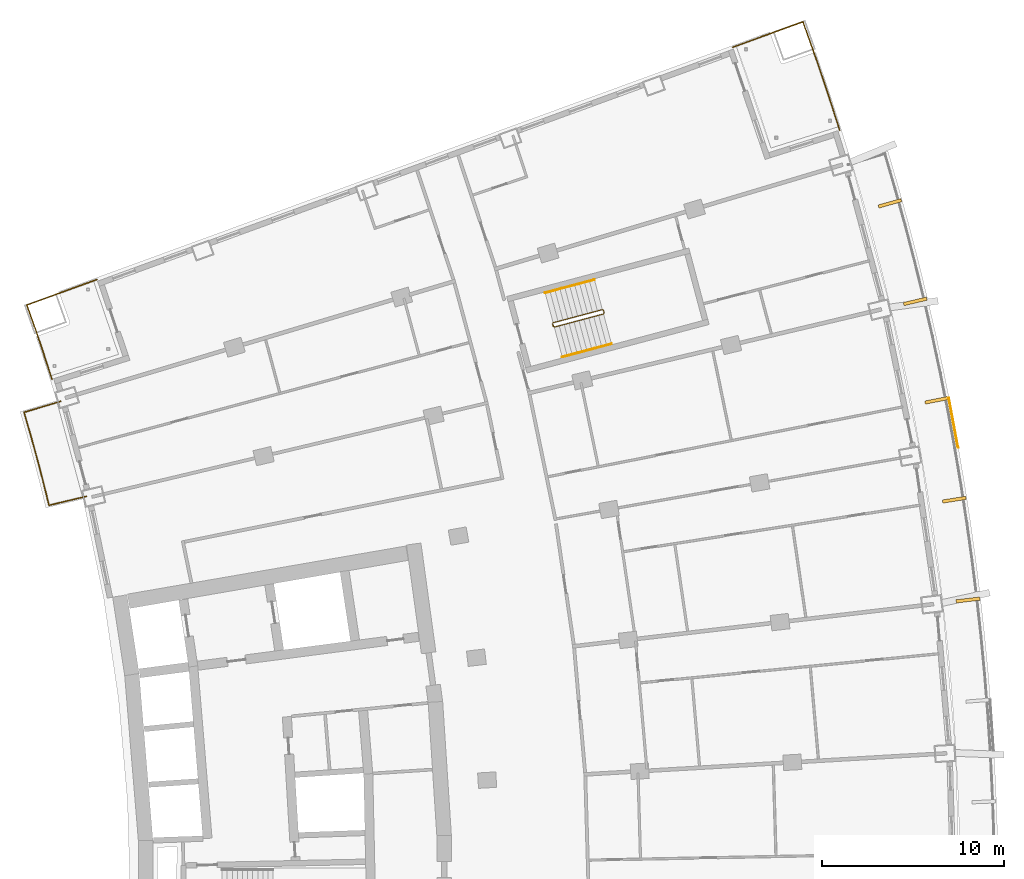
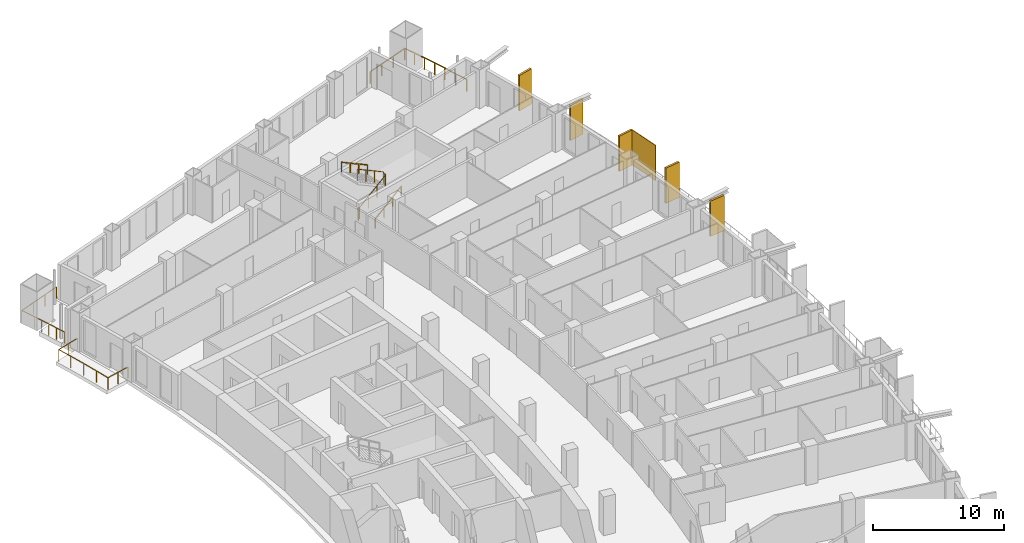
# One storey, part 25 of 25: 6 railings, 6 shading devices.
"""IFC4 building model written with IfcOpenShell, lengths in metres."""

import ifcopenshell
import ifcopenshell.guid

model = None  # the IFC model being written
_history = None  # IfcOwnerHistory: only IFC2X3 demands one
_inside = {}  # id of a spatial element -> (the spatial element, [elements in it])
_under = {}  # id of a project, library or spatial element -> (it, [spatial elements below it])
_declared = {}  # id of a project -> (the project, [libraries it declares])
_typed = {}  # id of a type object -> (the type object, [elements of that type])
_made_of = {}  # id of a material, layer set ... -> (it, [elements and type objects made of it])


def new_model(schema):
    """Start an empty IFC model of exactly this schema.

    Asked for "IFC4X3", IfcOpenShell would pick the latest addendum, in which some entities
    have other attributes; the version numbers below select the first issue.
    IFC2X3 requires an IfcOwnerHistory on every rooted entity: one is made here for all.
    """
    global model, _history
    if schema == "IFC4X3":
        model = ifcopenshell.file(schema_version=(4, 3, 0, 0))
    else:
        model = ifcopenshell.file(schema=schema)
    _inside.clear()
    _under.clear()
    _declared.clear()
    _typed.clear()
    _made_of.clear()
    _history = None
    if model.schema == "IFC2X3":
        org = make("IfcOrganization", Name="unknown")
        user = make(
            "IfcPersonAndOrganization",
            ThePerson=make("IfcPerson", FamilyName="unknown"),
            TheOrganization=org,
        )
        app = make(
            "IfcApplication",
            ApplicationDeveloper=org,
            Version="unknown",
            ApplicationFullName="unknown",
            ApplicationIdentifier="unknown",
        )
        _history = make(
            "IfcOwnerHistory",
            OwningUser=user,
            OwningApplication=app,
            ChangeAction="ADDED",
            CreationDate=0,
        )
    return model


def make(cls, **values):
    """One entity of the class cls with the attributes given. An attribute that is None is left unset."""
    return model.create_entity(
        cls, **{name: value for name, value in values.items() if value is not None}
    )


def rooted(cls, **values):
    """An entity with a GlobalId (a new one), such as an element, a storey or a relation."""
    return make(cls, GlobalId=ifcopenshell.guid.new(), OwnerHistory=_history, **values)


def si_unit(unit_type, name, prefix=None):
    """IfcSIUnit, for example si_unit("LENGTHUNIT", "METRE", prefix="MILLI")."""
    return make("IfcSIUnit", UnitType=unit_type, Prefix=prefix, Name=name)


def assignment(units):
    """IfcUnitAssignment: the units of a project."""
    return None if units is None else make("IfcUnitAssignment", Units=units)


def point(xyz):
    """IfcCartesianPoint."""
    return None if xyz is None else make("IfcCartesianPoint", Coordinates=xyz)


def direction(xyz):
    """IfcDirection."""
    return None if xyz is None else make("IfcDirection", DirectionRatios=xyz)


def frame(location, z_axis=None, x_axis=None):
    """IfcAxis2Placement3D, a coordinate frame: its origin and axes. An axis left out is left unset."""
    return make(
        "IfcAxis2Placement3D",
        Location=point(location),
        Axis=direction(z_axis),
        RefDirection=direction(x_axis),
    )


def frame_2d(location, x_axis=None):
    """IfcAxis2Placement2D, a coordinate frame in the plane: its origin and x axis."""
    return make(
        "IfcAxis2Placement2D", Location=point(location), RefDirection=direction(x_axis)
    )


def origin():
    """The frame at (0, 0, 0) with its axes left unset."""
    return frame((0.0, 0.0, 0.0))


def origin_2d():
    """The frame at (0, 0) in the plane with its x axis left unset."""
    return frame_2d((0.0, 0.0))


def place(relative_to, where):
    """IfcLocalPlacement: puts the frame where relative to a parent placement (None: the world)."""
    return make(
        "IfcLocalPlacement", PlacementRelTo=relative_to, RelativePlacement=where
    )


def context(
    kind, dimensions, precision=None, world=None, true_north=None, identifier=None
):
    """IfcGeometricRepresentationContext, for example the 3D "Model" context."""
    return make(
        "IfcGeometricRepresentationContext",
        ContextIdentifier=identifier,
        ContextType=kind,
        CoordinateSpaceDimension=dimensions,
        Precision=precision,
        WorldCoordinateSystem=world,
        TrueNorth=true_north,
    )


def subcontext(parent, identifier, kind, view, scale=None):
    """IfcGeometricRepresentationSubContext, for example "Body" below "Model"."""
    return make(
        "IfcGeometricRepresentationSubContext",
        ContextIdentifier=identifier,
        ContextType=kind,
        ParentContext=parent,
        TargetScale=scale,
        TargetView=view,
    )


def project(units=None, contexts=None):
    """IfcProject with its units and contexts."""
    return rooted(
        "IfcProject",
        Name="project",
        RepresentationContexts=contexts,
        UnitsInContext=assignment(units),
    )


def spatial(cls, under=None, at=None, **own):
    """A site, building, storey or space (cls), placed at a placement, below another one or the project."""
    s = rooted(cls, ObjectPlacement=at, **own)
    if under is not None:
        _under.setdefault(under.id(), (under, []))[1].append(s)
    return s


def profile(cls, at=None, kind="AREA", **sizes):
    """A parametric profile (cls). Its sizes go by their IFC names, for example OverallWidth=200.0."""
    return make(cls, ProfileType=kind, Position=at, **sizes)


def rectangle(**sizes):
    """IfcRectangleProfileDef."""
    return profile("IfcRectangleProfileDef", **sizes)


def extrude(swept, where, along, depth):
    """IfcExtrudedAreaSolid: the profile swept, set in the frame where, extruded along a direction by depth."""
    return make(
        "IfcExtrudedAreaSolid",
        SweptArea=swept,
        Position=where,
        ExtrudedDirection=direction(along),
        Depth=depth,
    )


def shape(context_of_items, identifier, shape_type, items):
    """IfcShapeRepresentation: the items that make up one representation, for example the "Body"."""
    return make(
        "IfcShapeRepresentation",
        ContextOfItems=context_of_items,
        RepresentationIdentifier=identifier,
        RepresentationType=shape_type,
        Items=items,
    )


def material(Name=None, Category=None):
    """IfcMaterial."""
    return make("IfcMaterial", Name=Name, Category=Category)


def layer(
    of_material, thickness, ventilated=None, Name=None, Category=None, Priority=None
):
    """IfcMaterialLayer: one layer of a wall or slab, of a material (None: an air gap)."""
    return make(
        "IfcMaterialLayer",
        Material=of_material,
        LayerThickness=thickness,
        IsVentilated=ventilated,
        Name=Name,
        Category=Category,
        Priority=Priority,
    )


def layer_set(layers, Name=None):
    """IfcMaterialLayerSet."""
    return make("IfcMaterialLayerSet", MaterialLayers=layers, LayerSetName=Name)


def made_of(thing, what):
    """Note that an element or type object is made of a material, layer set ...; save() writes the relation."""
    if what is not None:
        _made_of.setdefault(what.id(), (what, []))[1].append(thing)
    return thing


def type_object(cls, material=None, **own):
    """A type object (cls), such as IfcWallType, which elements share."""
    return made_of(rooted(cls, **own), material)


def element(
    cls,
    number,
    at=None,
    inside=None,
    cuts=None,
    type_object=None,
    material=None,
    context=None,
    identifier="Body",
    shape_type=None,
    held_by="IfcProductDefinitionShape",
    body=None,
    shapes=None,
    **own,
):
    """One element of the class cls, such as IfcWall. Its Tag is "e" and its number.

    at: its placement. inside: the storey or other place that contains it. cuts: it is an
    opening in that element (IfcRelVoidsElement). A single representation is given by context,
    identifier, shape_type and body (its items); several are given by shapes. held_by: the class
    of the entity that holds the representations. save() writes the other relations.
    """
    e = rooted(cls, Tag="e%d" % number, ObjectPlacement=at, **own)
    if body is not None:
        shapes = [shape(context, identifier, shape_type, body)]
    if shapes is not None:
        e.Representation = make(held_by, Representations=shapes)
    if inside is not None:
        _inside.setdefault(inside.id(), (inside, []))[1].append(e)
    if cuts is not None:
        rooted(
            "IfcRelVoidsElement", RelatingBuildingElement=cuts, RelatedOpeningElement=e
        )
    if type_object is not None:
        _typed.setdefault(type_object.id(), (type_object, []))[1].append(e)
    return made_of(e, material)


def aggregate(whole, parts):
    """IfcRelAggregates: a whole, such as a stair, and the parts it consists of."""
    return rooted("IfcRelAggregates", RelatingObject=whole, RelatedObjects=parts)


def save(model, path):
    """Write the relations noted so far, then the file.

    IfcRelAggregates (storeys below a building ...), IfcRelContainedInSpatialStructure (elements
    in a storey), IfcRelDefinesByType, IfcRelAssociatesMaterial and IfcRelDeclares: one each for
    every whole, place, type object, material and project.
    """
    for whole, parts in _under.values():
        aggregate(whole, parts)
    for where, things in _inside.values():
        rooted(
            "IfcRelContainedInSpatialStructure",
            RelatedElements=things,
            RelatingStructure=where,
        )
    for kind, things in _typed.values():
        rooted("IfcRelDefinesByType", RelatedObjects=things, RelatingType=kind)
    for what, things in _made_of.values():
        rooted("IfcRelAssociatesMaterial", RelatedObjects=things, RelatingMaterial=what)
    for by, libraries in _declared.values():
        rooted("IfcRelDeclares", RelatingContext=by, RelatedDefinitions=libraries)
    model.write(path)


model = new_model("IFC4")

# Units and contexts
model_context = context("Model", 3, precision=1e-05, world=origin(), true_north=direction((0.0, 1.0)))
body_context = subcontext(model_context, "Body", "Model", "MODEL_VIEW")
ifc_project = project(units=[si_unit("LENGTHUNIT", "METRE"), si_unit("AREAUNIT", "SQUARE_METRE"), si_unit("VOLUMEUNIT", "CUBIC_METRE"), si_unit("PLANEANGLEUNIT", "RADIAN"), si_unit("MASSUNIT", "GRAM", prefix="KILO")], contexts=[model_context])

# Site, building, storey
site_placement = place(None, origin())
site = spatial("IfcSite", under=ifc_project, at=site_placement, CompositionType="ELEMENT")
building_placement = place(site_placement, origin())
building = spatial("IfcBuilding", under=site, at=building_placement, Name="Alderwake Tower", CompositionType="ELEMENT")
storey_placement = place(building_placement, frame((0.0, 0.0, 107.60009765625)))
storey = spatial("IfcBuildingStorey", under=building, at=storey_placement, Name="L26", CompositionType="ELEMENT", Elevation=107.60009765625)

# Railings
ifc_material_1 = material(Name="Stainless steel 316 rail and posts", Category="steel")
railing_type_1 = type_object("IfcRailingType", Name="Balcony guard 1100", PredefinedType="GUARDRAIL", material=ifc_material_1)
railing_1_placement = place(storey_placement, frame((13.5693359375, 83.343017578125, 0.0)))
element("IfcRailing", 1, at=railing_1_placement, inside=storey, type_object=railing_type_1, Name="Guard BR11", PredefinedType="GUARDRAIL", context=body_context, shape_type="SweptSolid", body=[
    extrude(rectangle(XDim=0.048095703125, YDim=0.048095703125, at=origin_2d()), frame((0.0, 0.0, 1.076171875), z_axis=(-0.972646310656, -0.232291098337, 0.0), x_axis=(0.232291098337, -0.972646310656, 0.0)), (0.0, 0.0, 1.0), 2.099853515625),
    extrude(rectangle(XDim=0.048095703125, YDim=0.048095703125, at=origin_2d()), frame((-2.04248046875, -0.48779296875, 1.076171875), z_axis=(-0.238877101641, 0.971049808358, 0.0), x_axis=(-0.971049808358, -0.238877101641, 0.0)), (0.0, 0.0, 1.0), 1.2724609375),
    extrude(rectangle(XDim=0.048095703125, YDim=0.048095703125, at=origin_2d()), frame((-2.346435546875, 0.747802734375, 1.076171875), z_axis=(-0.252487086228, 0.967600264204, 0.0), x_axis=(-0.967600264204, -0.252487086228, 0.0)), (0.0, 0.0, 1.0), 1.3720703125),
    extrude(rectangle(XDim=0.048095703125, YDim=0.048095703125, at=origin_2d()), frame((-2.69287109375, 2.075439453125, 1.076171875), z_axis=(-0.266487604617, 0.963838345671, 0.0), x_axis=(-0.963838345671, -0.266487604617, 0.0)), (0.0, 0.0, 1.0), 1.372314453125),
    extrude(rectangle(XDim=0.048095703125, YDim=0.048095703125, at=origin_2d()), frame((-3.05859375, 3.398193359375, 1.076171875), z_axis=(-0.279963157487, 0.960010744966, 0.0), x_axis=(-0.960010744966, -0.279963157487, 0.0)), (0.0, 0.0, 1.0), 1.272216796875),
    extrude(rectangle(XDim=0.048095703125, YDim=0.048095703125, at=origin_2d()), frame((-3.414794921875, 4.61962890625, 1.076171875), z_axis=(0.958091458885, 0.286462486918, 0.0), x_axis=(-0.286462486918, 0.958091458885, 0.0)), (0.0, 0.0, 1.0), 2.099853515625),
    extrude(rectangle(XDim=0.0419921875, YDim=0.0419921875, at=origin_2d()), frame((0.0, 0.0, 0.0), z_axis=(0.0, 0.0, 1.0), x_axis=(-0.972646310656, -0.232291098337, 0.0)), (0.0, 0.0, 1.0), 1.052001953125),
    extrude(rectangle(XDim=0.0419921875, YDim=0.0419921875, at=origin_2d()), frame((-1.021240234375, -0.243896484375, 0.0), z_axis=(0.0, 0.0, 1.0), x_axis=(-0.972646310656, -0.232291098337, 0.0)), (0.0, 0.0, 1.0), 1.052001953125),
    extrude(rectangle(XDim=0.0419921875, YDim=0.0419921875, at=origin_2d()), frame((-2.04248046875, -0.48779296875, 0.0), z_axis=(0.0, 0.0, 1.0), x_axis=(-0.238877101641, 0.971049808358, 0.0)), (0.0, 0.0, 1.0), 1.052001953125),
    extrude(rectangle(XDim=0.0419921875, YDim=0.0419921875, at=origin_2d()), frame((-2.346435546875, 0.747802734375, 0.0), z_axis=(0.0, 0.0, 1.0), x_axis=(-0.252487086228, 0.967600264204, 0.0)), (0.0, 0.0, 1.0), 1.052001953125),
    extrude(rectangle(XDim=0.0419921875, YDim=0.0419921875, at=origin_2d()), frame((-2.69287109375, 2.075439453125, 0.0), z_axis=(0.0, 0.0, 1.0), x_axis=(-0.266487604617, 0.963838345671, 0.0)), (0.0, 0.0, 1.0), 1.052001953125),
    extrude(rectangle(XDim=0.0419921875, YDim=0.0419921875, at=origin_2d()), frame((-3.05859375, 3.398193359375, 0.0), z_axis=(0.0, 0.0, 1.0), x_axis=(-0.279963157487, 0.960010744966, 0.0)), (0.0, 0.0, 1.0), 1.052001953125),
    extrude(rectangle(XDim=0.0419921875, YDim=0.0419921875, at=origin_2d()), frame((-3.414794921875, 4.61962890625, 0.0), z_axis=(0.0, 0.0, 1.0), x_axis=(0.958091458885, 0.286462486918, 0.0)), (0.0, 0.0, 1.0), 1.052001953125),
    extrude(rectangle(XDim=0.0419921875, YDim=0.0419921875, at=origin_2d()), frame((-2.40869140625, 4.92041015625, 0.0), z_axis=(0.0, 0.0, 1.0), x_axis=(0.958091458885, 0.286462486918, 0.0)), (0.0, 0.0, 1.0), 1.052001953125),
    extrude(rectangle(XDim=0.0419921875, YDim=0.0419921875, at=origin_2d()), frame((-1.40283203125, 5.22119140625, 0.0), z_axis=(0.0, 0.0, 1.0), x_axis=(0.958091458885, 0.286462486918, 0.0)), (0.0, 0.0, 1.0), 1.052001953125),
])
railing_2_placement = place(storey_placement, frame((54.976318359375, 103.469482421875, 0.0)))
element("IfcRailing", 2, at=railing_2_placement, inside=storey, type_object=railing_type_1, Name="Guard terrace FN", PredefinedType="GUARDRAIL", context=body_context, shape_type="SweptSolid", body=[
    extrude(rectangle(XDim=0.048095703125, YDim=0.048095703125, at=origin_2d()), frame((0.0, 0.0, 1.076171875), z_axis=(-0.307736999778, 0.951471459881, 0.0), x_axis=(-0.951471459881, -0.307736999778, 0.0)), (0.0, 0.0, 1.0), 2.263427734375),
    extrude(rectangle(XDim=0.048095703125, YDim=0.048095703125, at=origin_2d()), frame((-0.696533203125, 2.153564453125, 1.076171875), z_axis=(-0.322290868596, 0.946640690029, 0.0), x_axis=(-0.946640690029, -0.322290868596, 0.0)), (0.0, 0.0, 1.0), 2.0634765625),
    extrude(rectangle(XDim=0.048095703125, YDim=0.048095703125, at=origin_2d()), frame((-1.361572265625, 4.10693359375, 1.076171875), z_axis=(-0.335706204484, 0.941966742656, 0.0), x_axis=(-0.941966742656, -0.335706204484, 0.0)), (0.0, 0.0, 1.0), 1.963623046875),
    extrude(rectangle(XDim=0.048095703125, YDim=0.048095703125, at=origin_2d()), frame((-2.020751953125, 5.95654296875, 1.076171875), z_axis=(-0.939624669849, -0.342206779317, 0.0), x_axis=(0.342206779317, -0.939624669849, 0.0)), (0.0, 0.0, 1.0), 4.10009765625),
    extrude(rectangle(XDim=0.0419921875, YDim=0.0419921875, at=origin_2d()), frame((0.0, 0.0, 0.0), z_axis=(0.0, 0.0, 1.0), x_axis=(-0.307736999778, 0.951471459881, 0.0)), (0.0, 0.0, 1.0), 1.052001953125),
    extrude(rectangle(XDim=0.0419921875, YDim=0.0419921875, at=origin_2d()), frame((-0.34814453125, 1.07666015625, 0.0), z_axis=(0.0, 0.0, 1.0), x_axis=(-0.307736999778, 0.951471459881, 0.0)), (0.0, 0.0, 1.0), 1.052001953125),
    extrude(rectangle(XDim=0.0419921875, YDim=0.0419921875, at=origin_2d()), frame((-0.696533203125, 2.153564453125, 0.0), z_axis=(0.0, 0.0, 1.0), x_axis=(-0.322290868596, 0.946640690029, 0.0)), (0.0, 0.0, 1.0), 1.052001953125),
    extrude(rectangle(XDim=0.0419921875, YDim=0.0419921875, at=origin_2d()), frame((-1.029052734375, 3.13037109375, 0.0), z_axis=(0.0, 0.0, 1.0), x_axis=(-0.322290868596, 0.946640690029, 0.0)), (0.0, 0.0, 1.0), 1.052001953125),
    extrude(rectangle(XDim=0.0419921875, YDim=0.0419921875, at=origin_2d()), frame((-1.361572265625, 4.10693359375, 0.0), z_axis=(0.0, 0.0, 1.0), x_axis=(-0.335706204484, 0.941966742656, 0.0)), (0.0, 0.0, 1.0), 1.052001953125),
    extrude(rectangle(XDim=0.0419921875, YDim=0.0419921875, at=origin_2d()), frame((-1.691162109375, 5.03173828125, 0.0), z_axis=(0.0, 0.0, 1.0), x_axis=(-0.335706204484, 0.941966742656, 0.0)), (0.0, 0.0, 1.0), 1.052001953125),
    extrude(rectangle(XDim=0.0419921875, YDim=0.0419921875, at=origin_2d()), frame((-2.020751953125, 5.95654296875, 0.0), z_axis=(0.0, 0.0, 1.0), x_axis=(-0.939624669849, -0.342206779317, 0.0)), (0.0, 0.0, 1.0), 1.052001953125),
    extrude(rectangle(XDim=0.0419921875, YDim=0.0419921875, at=origin_2d()), frame((-3.304931640625, 5.48876953125, 0.0), z_axis=(0.0, 0.0, 1.0), x_axis=(-0.939624669849, -0.342206779317, 0.0)), (0.0, 0.0, 1.0), 1.052001953125),
    extrude(rectangle(XDim=0.0419921875, YDim=0.0419921875, at=origin_2d()), frame((-4.589111328125, 5.021240234375, 0.0), z_axis=(0.0, 0.0, 1.0), x_axis=(-0.939624669849, -0.342206779317, 0.0)), (0.0, 0.0, 1.0), 1.052001953125),
    extrude(rectangle(XDim=0.0419921875, YDim=0.0419921875, at=origin_2d()), frame((-5.873291015625, 4.553466796875, 0.0), z_axis=(0.0, 0.0, 1.0), x_axis=(-0.939624669849, -0.342206779317, 0.0)), (0.0, 0.0, 1.0), 1.052001953125),
])
railing_3_placement = place(storey_placement, frame((11.688720703125, 89.781982421875, 0.0)))
element("IfcRailing", 3, at=railing_3_placement, inside=storey, type_object=railing_type_1, Name="Guard terrace RN", PredefinedType="GUARDRAIL", context=body_context, shape_type="SweptSolid", body=[
    extrude(rectangle(XDim=0.048095703125, YDim=0.048095703125, at=origin_2d()), frame((0.0, 0.0, 1.076171875), z_axis=(-0.307479326145, 0.951554761426, 0.0), x_axis=(-0.951554761426, -0.307479326145, 0.0)), (0.0, 0.0, 1.0), 1.6015625),
    extrude(rectangle(XDim=0.048095703125, YDim=0.048095703125, at=origin_2d()), frame((-0.492431640625, 1.52392578125, 1.076171875), z_axis=(-0.322283727344, 0.946643121292, 0.0), x_axis=(-0.946643121292, -0.322283727344, 0.0)), (0.0, 0.0, 1.0), 1.4013671875),
    extrude(rectangle(XDim=0.048095703125, YDim=0.048095703125, at=origin_2d()), frame((-0.944091796875, 2.8505859375, 1.076171875), z_axis=(-0.335468607403, 0.942051385778, 0.0), x_axis=(-0.942051385778, -0.335468607403, 0.0)), (0.0, 0.0, 1.0), 1.30126953125),
    extrude(rectangle(XDim=0.048095703125, YDim=0.048095703125, at=origin_2d()), frame((-1.380615234375, 4.076416015625, 1.076171875), z_axis=(0.939708203232, 0.341977327873, 0.0), x_axis=(-0.341977327873, 0.939708203232, 0.0)), (0.0, 0.0, 1.0), 4.10009765625),
    extrude(rectangle(XDim=0.0419921875, YDim=0.0419921875, at=origin_2d()), frame((0.0, 0.0, 0.0), z_axis=(0.0, 0.0, 1.0), x_axis=(-0.307479326145, 0.951554761426, 0.0)), (0.0, 0.0, 1.0), 1.052001953125),
    extrude(rectangle(XDim=0.0419921875, YDim=0.0419921875, at=origin_2d()), frame((-0.24609375, 0.761962890625, 0.0), z_axis=(0.0, 0.0, 1.0), x_axis=(-0.307479326145, 0.951554761426, 0.0)), (0.0, 0.0, 1.0), 1.052001953125),
    extrude(rectangle(XDim=0.0419921875, YDim=0.0419921875, at=origin_2d()), frame((-0.492431640625, 1.52392578125, 0.0), z_axis=(0.0, 0.0, 1.0), x_axis=(-0.322283727344, 0.946643121292, 0.0)), (0.0, 0.0, 1.0), 1.052001953125),
    extrude(rectangle(XDim=0.0419921875, YDim=0.0419921875, at=origin_2d()), frame((-0.71826171875, 2.187255859375, 0.0), z_axis=(0.0, 0.0, 1.0), x_axis=(-0.322283727344, 0.946643121292, 0.0)), (0.0, 0.0, 1.0), 1.052001953125),
    extrude(rectangle(XDim=0.0419921875, YDim=0.0419921875, at=origin_2d()), frame((-0.944091796875, 2.8505859375, 0.0), z_axis=(0.0, 0.0, 1.0), x_axis=(-0.335468607403, 0.942051385778, 0.0)), (0.0, 0.0, 1.0), 1.052001953125),
    extrude(rectangle(XDim=0.0419921875, YDim=0.0419921875, at=origin_2d()), frame((-1.380615234375, 4.076416015625, 0.0), z_axis=(0.0, 0.0, 1.0), x_axis=(0.939708203232, 0.341977327873, 0.0)), (0.0, 0.0, 1.0), 1.052001953125),
    extrude(rectangle(XDim=0.0419921875, YDim=0.0419921875, at=origin_2d()), frame((-0.096435546875, 4.543701171875, 0.0), z_axis=(0.0, 0.0, 1.0), x_axis=(0.939708203232, 0.341977327873, 0.0)), (0.0, 0.0, 1.0), 1.052001953125),
    extrude(rectangle(XDim=0.0419921875, YDim=0.0419921875, at=origin_2d()), frame((1.18798828125, 5.01123046875, 0.0), z_axis=(0.0, 0.0, 1.0), x_axis=(0.939708203232, 0.341977327873, 0.0)), (0.0, 0.0, 1.0), 1.052001953125),
    extrude(rectangle(XDim=0.0419921875, YDim=0.0419921875, at=origin_2d()), frame((2.47216796875, 5.478515625, 0.0), z_axis=(0.0, 0.0, 1.0), x_axis=(0.939708203232, 0.341977327873, 0.0)), (0.0, 0.0, 1.0), 1.052001953125),
])

# Shading devices
ifc_material_2 = material(Name="Bronze anodised aluminium", Category="aluminium")
ifc_layer_1 = layer(ifc_material_2, 0.179931640625)
ifc_layer_set_1 = layer_set([ifc_layer_1], Name="Facade fin 1300")
shading_device_type_1 = type_object("IfcShadingDeviceType", Name="Facade fin 1300", PredefinedType="USERDEFINED", material=ifc_layer_set_1)
for number, where, z_axis, x_axis, name in (
    (4, (62.02734375, 77.650146484375, 0.0), (0.0, 0.0, 1.0), (0.993198315083, 0.116434990084, 0.0), "Fin"),
    (5, (61.2724609375, 83.1611328125, 0.0), (0.0, 0.0, 1.0), (0.987918787879, 0.154972476771, 0.0), "Fin"),
    (6, (60.306396484375, 88.62451171875, 0.0), (0.0, 0.0, 1.0), (0.981163751315, 0.193177879441, 0.0), "Fin"),
    (7, (59.1259765625, 94.06005859375, 0.0), (0.0, 0.0, 1.0), (0.972908790564, 0.231189284448, 0.0), "Fin"),
    (8, (57.735107421875, 99.44580078125, 0.0), (0.0, 0.0, 1.0), (0.96318180783, 0.268850897459, 0.0), "Fin"),
):
    element("IfcShadingDevice", number, at=place(storey_placement, frame(where, z_axis=z_axis, x_axis=x_axis)), inside=storey, type_object=shading_device_type_1, Name=name, ObjectType="FIN", PredefinedType="USERDEFINED", context=body_context, shape_type="SweptSolid", body=[
        extrude(rectangle(XDim=1.300048828125, YDim=0.179931640625, at=origin_2d()), origin(), (0.0, 0.0, 1.0), 3.280029296875),
    ])
ifc_material_3 = material(Name="Perforated bronze anodised aluminium", Category="aluminium")
ifc_layer_2 = layer(ifc_material_3, 0.050048828125)
ifc_layer_set_2 = layer_set([ifc_layer_2], Name="Perforated screen panel")
shading_device_type_2 = type_object("IfcShadingDeviceType", Name="Perforated screen panel", PredefinedType="USERDEFINED", material=ifc_layer_set_2)
shading_device_placement = place(storey_placement, frame((61.224609375, 87.385009765625, 0.0), z_axis=(0.0, 0.0, 1.0), x_axis=(0.982991488043, 0.183651121519, 0.0)))
element("IfcShadingDevice", 9, at=shading_device_placement, inside=storey, type_object=shading_device_type_2, Name="Screen panel", ObjectType="SCREEN", PredefinedType="USERDEFINED", context=body_context, shape_type="SweptSolid", body=[
    extrude(rectangle(XDim=0.050048828125, YDim=2.787353515625, at=origin_2d()), origin(), (0.0, 0.0, 1.0), 3.280029296875),
])

# Railings
ifc_material_4 = material(Name="Stainless steel guard", Category="steel")
railing_type_2 = type_object("IfcRailingType", Name="Stair guard 1100", PredefinedType="GUARDRAIL", material=ifc_material_4)
railing_4_placement = place(storey_placement, frame((39.23291015625, 92.6806640625, 0.0)))
element("IfcRailing", 10, at=railing_4_placement, inside=storey, type_object=railing_type_2, Name="L26 ST-A stair guard 1", PredefinedType="GUARDRAIL", context=body_context, shape_type="SweptSolid", body=[
    extrude(rectangle(XDim=0.048095703125, YDim=0.048095703125, at=origin_2d()), frame((0.0, 0.0, 1.076171875), z_axis=(-0.257055032184, 0.966396766566, 0.0), x_axis=(-0.966396766566, -0.257055032184, 0.0)), (0.0, 0.0, 1.0), 0.150146484375),
    extrude(rectangle(XDim=0.048095703125, YDim=0.048095703125, at=origin_2d()), frame((-0.03857421875, 0.14501953125, 1.076171875), z_axis=(0.379370725808, -0.685464465458, 0.621463047167), x_axis=(0.874937996095, 0.484234966715, 0.0)), (0.0, 0.0, 1.0), 0.26318359375),
    extrude(rectangle(XDim=0.048095703125, YDim=0.048095703125, at=origin_2d()), frame((0.061279296875, -0.035400390625, 1.23974609375), z_axis=(0.834290631165, 0.222236594766, 0.504549342183), x_axis=(-0.257402139082, 0.966304371715, 0.0)), (0.0, 0.0, 1.0), 3.242919921875),
    extrude(rectangle(XDim=0.048095703125, YDim=0.048095703125, at=origin_2d()), frame((2.766845703125, 0.685302734375, 2.8759765625), z_axis=(0.500220121494, 0.865898279276, 0.0), x_axis=(-0.865898279276, 0.500220121494, 0.0)), (0.0, 0.0, 1.0), 0.07080078125),
    extrude(rectangle(XDim=0.048095703125, YDim=0.048095703125, at=origin_2d()), frame((2.80224609375, 0.74658203125, 2.8759765625), z_axis=(-0.257459803502, 0.966289009345, 0.0), x_axis=(-0.966289009345, -0.257459803502, 0.0)), (0.0, 0.0, 1.0), 0.14990234375),
    extrude(rectangle(XDim=0.048095703125, YDim=0.048095703125, at=origin_2d()), frame((2.763671875, 0.891357421875, 2.8759765625), z_axis=(-0.34209458732, 0.199783238995, 0.918181872367), x_axis=(-0.504300490226, -0.863528236688, 0.0)), (0.0, 0.0, 1.0), 0.178466796875),
    extrude(rectangle(XDim=0.048095703125, YDim=0.048095703125, at=origin_2d()), frame((2.70263671875, 0.927001953125, 3.03955078125), z_axis=(-0.834313512087, -0.222222637163, 0.504517653885), x_axis=(0.257380452725, -0.966310148221, 0.0)), (0.0, 0.0, 1.0), 3.2431640625),
    extrude(rectangle(XDim=0.0419921875, YDim=0.0419921875, at=origin_2d()), frame((0.0, 0.0, 0.0), z_axis=(0.0, 0.0, 1.0), x_axis=(-0.257055032184, 0.966396766566, 0.0)), (0.0, 0.0, 1.0), 1.052001953125),
    extrude(rectangle(XDim=0.0419921875, YDim=0.0419921875, at=origin_2d()), frame((-0.03857421875, 0.14501953125, 0.0), z_axis=(0.0, 0.0, 1.0), x_axis=(0.484234966715, -0.874937996095, 0.0)), (0.0, 0.0, 1.0), 1.052001953125),
    extrude(rectangle(XDim=0.0419921875, YDim=0.0419921875, at=origin_2d()), frame((0.061279296875, -0.035400390625, 0.16357421875), z_axis=(0.0, 0.0, 1.0), x_axis=(0.966304371715, 0.257402139082, 0.0)), (0.0, 0.0, 1.0), 1.052001953125),
    extrude(rectangle(XDim=0.0419921875, YDim=0.0419921875, at=origin_2d()), frame((0.963134765625, 0.204833984375, 0.708984375), z_axis=(0.0, 0.0, 1.0), x_axis=(0.966304371715, 0.257402139082, 0.0)), (0.0, 0.0, 1.0), 1.052001953125),
    extrude(rectangle(XDim=0.0419921875, YDim=0.0419921875, at=origin_2d()), frame((1.864990234375, 0.445068359375, 1.25439453125), z_axis=(0.0, 0.0, 1.0), x_axis=(0.966304371715, 0.257402139082, 0.0)), (0.0, 0.0, 1.0), 1.052001953125),
    extrude(rectangle(XDim=0.0419921875, YDim=0.0419921875, at=origin_2d()), frame((2.766845703125, 0.685302734375, 1.7998046875), z_axis=(0.0, 0.0, 1.0), x_axis=(0.500220121494, 0.865898279276, 0.0)), (0.0, 0.0, 1.0), 1.052001953125),
    extrude(rectangle(XDim=0.0419921875, YDim=0.0419921875, at=origin_2d()), frame((2.80224609375, 0.74658203125, 1.7998046875), z_axis=(0.0, 0.0, 1.0), x_axis=(-0.257459803502, 0.966289009345, 0.0)), (0.0, 0.0, 1.0), 1.052001953125),
    extrude(rectangle(XDim=0.0419921875, YDim=0.0419921875, at=origin_2d()), frame((2.763671875, 0.891357421875, 1.7998046875), z_axis=(0.0, 0.0, 1.0), x_axis=(-0.863528236688, 0.504300490226, 0.0)), (0.0, 0.0, 1.0), 1.052001953125),
    extrude(rectangle(XDim=0.0419921875, YDim=0.0419921875, at=origin_2d()), frame((2.70263671875, 0.927001953125, 1.963623046875), z_axis=(0.0, 0.0, 1.0), x_axis=(-0.966310148221, -0.257380452725, 0.0)), (0.0, 0.0, 1.0), 1.052001953125),
    extrude(rectangle(XDim=0.0419921875, YDim=0.0419921875, at=origin_2d()), frame((1.80078125, 0.686767578125, 2.509033203125), z_axis=(0.0, 0.0, 1.0), x_axis=(-0.966310148221, -0.257380452725, 0.0)), (0.0, 0.0, 1.0), 1.052001953125),
    extrude(rectangle(XDim=0.0419921875, YDim=0.0419921875, at=origin_2d()), frame((0.898681640625, 0.446533203125, 3.054443359375), z_axis=(0.0, 0.0, 1.0), x_axis=(-0.966310148221, -0.257380452725, 0.0)), (0.0, 0.0, 1.0), 1.052001953125),
    extrude(rectangle(XDim=0.0419921875, YDim=0.0419921875, at=origin_2d()), frame((-0.003173828125, 0.206298828125, 3.599853515625), z_axis=(0.0, 0.0, 1.0), x_axis=(-0.966310148221, -0.257380452725, 0.0)), (0.0, 0.0, 1.0), 1.052001953125),
])
ifc_material_5 = material(Name="Stainless steel handrail", Category="steel")
railing_type_3 = type_object("IfcRailingType", Name="Stair handrail 900", PredefinedType="HANDRAIL", material=ifc_material_5)
railing_5_placement = place(storey_placement, frame((39.731689453125, 91.002685546875, 0.16357421875)))
element("IfcRailing", 11, at=railing_5_placement, inside=storey, type_object=railing_type_3, Name="L26 ST-A stair handrail 1", PredefinedType="HANDRAIL", context=body_context, shape_type="SweptSolid", body=[
    extrude(rectangle(XDim=0.048095703125, YDim=0.048095703125, at=origin_2d()), frame((0.0, 0.0, 0.8759765625), z_axis=(0.834290631165, 0.222236594766, 0.504549342183), x_axis=(-0.257402139082, 0.966304371715, 0.0)), (0.0, 0.0, 1.0), 3.242919921875),
    extrude(rectangle(XDim=0.0419921875, YDim=0.0419921875, at=origin_2d()), frame((0.0, 0.0, 0.0), z_axis=(0.0, 0.0, 1.0), x_axis=(0.966304371715, 0.257402139082, 0.0)), (0.0, 0.0, 1.0), 0.851806640625),
    extrude(rectangle(XDim=0.0419921875, YDim=0.0419921875, at=origin_2d()), frame((0.90185546875, 0.240234375, 0.54541015625), z_axis=(0.0, 0.0, 1.0), x_axis=(0.966304371715, 0.257402139082, 0.0)), (0.0, 0.0, 1.0), 0.851806640625),
    extrude(rectangle(XDim=0.0419921875, YDim=0.0419921875, at=origin_2d()), frame((1.8037109375, 0.48046875, 1.0908203125), z_axis=(0.0, 0.0, 1.0), x_axis=(0.966304371715, 0.257402139082, 0.0)), (0.0, 0.0, 1.0), 0.851806640625),
    extrude(rectangle(XDim=0.0419921875, YDim=0.0419921875, at=origin_2d()), frame((2.70556640625, 0.720703125, 1.63623046875), z_axis=(0.0, 0.0, 1.0), x_axis=(0.966304371715, 0.257402139082, 0.0)), (0.0, 0.0, 1.0), 0.851806640625),
])
railing_6_placement = place(storey_placement, frame((41.497802734375, 95.250244140625, 1.963623046875)))
element("IfcRailing", 12, at=railing_6_placement, inside=storey, type_object=railing_type_3, Name="L26 ST-A stair handrail 2", PredefinedType="HANDRAIL", context=body_context, shape_type="SweptSolid", body=[
    extrude(rectangle(XDim=0.048095703125, YDim=0.048095703125, at=origin_2d()), frame((0.0, 0.0, 0.8759765625), z_axis=(-0.834290631165, -0.222236594766, 0.504549342183), x_axis=(0.257402139082, -0.966304371715, 0.0)), (0.0, 0.0, 1.0), 3.242919921875),
    extrude(rectangle(XDim=0.0419921875, YDim=0.0419921875, at=origin_2d()), frame((0.0, 0.0, 0.0), z_axis=(0.0, 0.0, 1.0), x_axis=(-0.966304371715, -0.257402139082, 0.0)), (0.0, 0.0, 1.0), 0.851806640625),
    extrude(rectangle(XDim=0.0419921875, YDim=0.0419921875, at=origin_2d()), frame((-0.90185546875, -0.240234375, 0.54541015625), z_axis=(0.0, 0.0, 1.0), x_axis=(-0.966304371715, -0.257402139082, 0.0)), (0.0, 0.0, 1.0), 0.851806640625),
    extrude(rectangle(XDim=0.0419921875, YDim=0.0419921875, at=origin_2d()), frame((-1.8037109375, -0.48046875, 1.0908203125), z_axis=(0.0, 0.0, 1.0), x_axis=(-0.966304371715, -0.257402139082, 0.0)), (0.0, 0.0, 1.0), 0.851806640625),
    extrude(rectangle(XDim=0.0419921875, YDim=0.0419921875, at=origin_2d()), frame((-2.70556640625, -0.720703125, 1.63623046875), z_axis=(0.0, 0.0, 1.0), x_axis=(-0.966304371715, -0.257402139082, 0.0)), (0.0, 0.0, 1.0), 0.851806640625),
])

save(model, "model.ifc")
